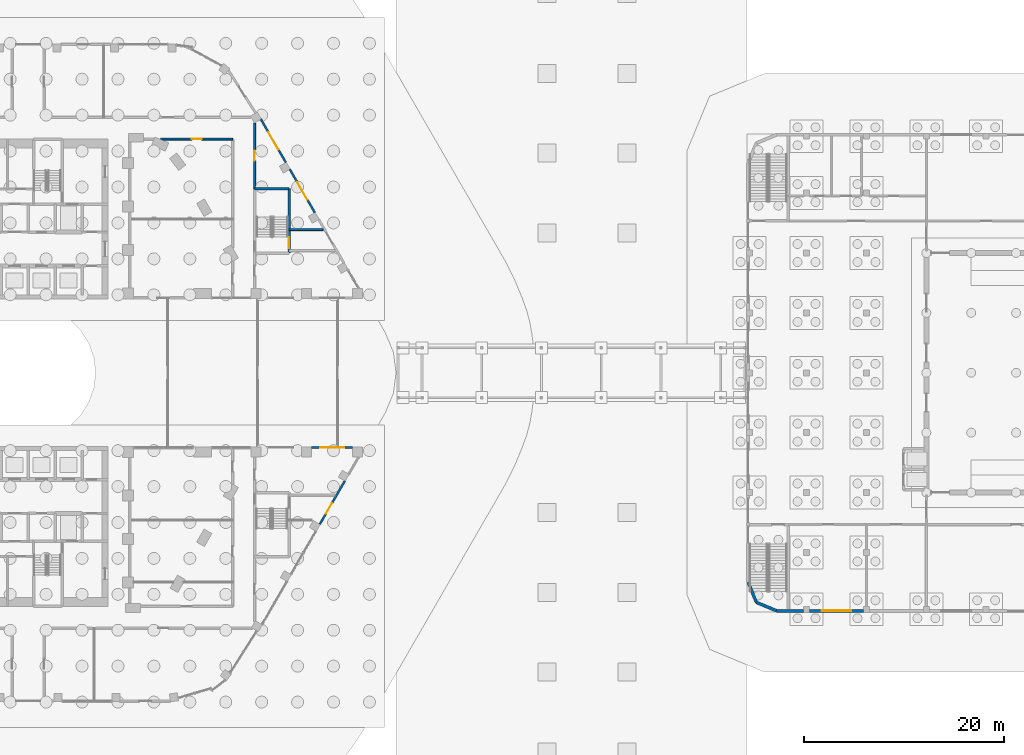
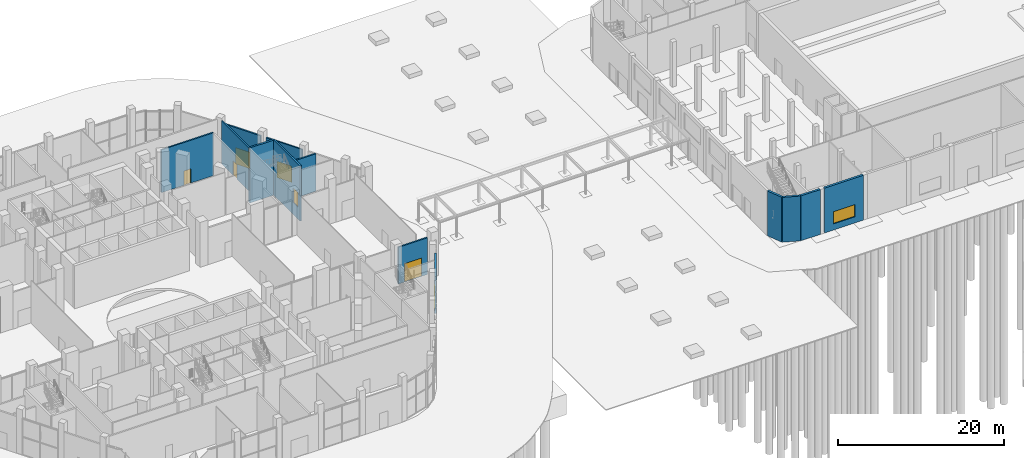
# One storey, part 30 of 44: 13 walls, 7 doors, 1 window, 8 openings.
"""IFC4 building model written with IfcOpenShell, lengths in metres."""

from ifc_helpers import new_model, si_unit, direction, frame, frame_2d, origin, place, context, subcontext, project, spatial, rectangle, extrude, material, layer, layer_set, type_object, element, fill, save


model = new_model("IFC4")

# Units and contexts
model_context = context("Model", 3, precision=1e-05, world=origin(), true_north=direction((0.0, 1.0)))
body_context = subcontext(model_context, "Body", "Model", "MODEL_VIEW")
ifc_project = project(units=[si_unit("LENGTHUNIT", "METRE"), si_unit("AREAUNIT", "SQUARE_METRE"), si_unit("VOLUMEUNIT", "CUBIC_METRE"), si_unit("PLANEANGLEUNIT", "RADIAN"), si_unit("MASSUNIT", "GRAM", prefix="KILO")], contexts=[model_context])

# Site, building, storey
site_placement = place(None, origin())
site = spatial("IfcSite", under=ifc_project, at=site_placement, CompositionType="ELEMENT")
building_placement = place(site_placement, origin())
building = spatial("IfcBuilding", under=site, at=building_placement, Name="Nakaniwa Court", CompositionType="ELEMENT")
storey_placement = place(building_placement, origin())
storey = spatial("IfcBuildingStorey", under=building, at=storey_placement, Name="L00", CompositionType="ELEMENT", Elevation=0.0)

# Wall, opening, door
ifc_material_1 = material(Name="Acoustic double stud partition")
ifc_layer_1 = layer(ifc_material_1, 0.199951171875)
ifc_layer_set_1 = layer_set([ifc_layer_1], Name="Acoustic double stud partition")
wall_type_1 = type_object("IfcWallType", Name="Acoustic double stud partition 200", PredefinedType="PARTITIONING", material=ifc_layer_set_1)
wall_1_placement = place(storey_placement, frame((102.699951171875, 105.024658203125, 0.0), z_axis=(0.0, 0.0, 1.0), x_axis=(0.0, -1.0, 0.0)))
wall_1 = element("IfcWall", 1, at=wall_1_placement, inside=storey, type_object=wall_type_1, Name="Partition PW-082", PredefinedType="PARTITIONING", context=body_context, shape_type="SweptSolid", body=[
    extrude(rectangle(XDim=6.57763671875, YDim=0.199951171875, at=frame_2d((3.288818359375, 0.0))), origin(), (0.0, 0.0, 1.0), 6.300048828125),
])
opening_1_placement = place(wall_1_placement, frame((2.7890625, 0.0, 0.0)))
opening_1 = element("IfcOpeningElement", 2, at=opening_1_placement, cuts=wall_1, Name="Opening D-02-04", PredefinedType="OPENING", context=body_context, shape_type="SweptSolid", body=[
    extrude(rectangle(XDim=1.0, YDim=2.10009765625, at=frame_2d((0.5, 1.050048828125))), frame((0.0, 0.10986328125, 0.0), z_axis=(0.0, -1.0, 0.0), x_axis=(1.0, 0.0, 0.0)), (0.0, 0.0, 1.0), 0.219970703125),
])
ifc_material_2 = material(Name="Solid core timber door set, black veneer", Category="wood")
door_type_1 = type_object("IfcDoorType", Name="Internal door 1000", OperationType="NOTDEFINED", PredefinedType="DOOR", material=ifc_material_2)
door_1_placement = place(opening_1_placement, origin())
door_1 = element("IfcDoor", 3, at=door_1_placement, inside=storey, type_object=door_type_1, Name="Door D-02-04 L00-035", OperationType="SINGLE_SWING_RIGHT", OverallHeight=2.10009765625, OverallWidth=1.0, PredefinedType="DOOR", context=body_context, shape_type="SweptSolid", body=[
    extrude(rectangle(XDim=1.0, YDim=2.10009765625, at=frame_2d((0.5, 1.050048828125))), frame((0.0, 0.02490234375, 0.0), z_axis=(0.0, -1.0, 0.0), x_axis=(1.0, 0.0, 0.0)), (0.0, 0.0, 1.0), 0.050048828125),
])
fill(opening_1, door_1)

wall_2_placement = place(storey_placement, frame((100.498046875, 103.39990234375, 0.0), z_axis=(0.0, 0.0, 1.0), x_axis=(-1.0, 0.0, 0.0)))
wall_2 = element("IfcWall", 4, at=wall_2_placement, inside=storey, type_object=wall_type_1, Name="Partition PW-114", PredefinedType="PARTITIONING", context=body_context, shape_type="SweptSolid", body=[
    extrude(rectangle(XDim=7.22802734375, YDim=0.199951171875, at=frame_2d((3.614013671875, 0.0))), origin(), (0.0, 0.0, 1.0), 6.300048828125),
])
opening_2_placement = place(wall_2_placement, frame((3.111083984375, 0.0, 0.0)))
opening_2 = element("IfcOpeningElement", 5, at=opening_2_placement, cuts=wall_2, Name="Opening D-02-10", PredefinedType="OPENING", context=body_context, shape_type="SweptSolid", body=[
    extrude(rectangle(XDim=1.0, YDim=2.10009765625, at=frame_2d((0.5, 1.050048828125))), frame((0.0, 0.10986328125, 0.0), z_axis=(0.0, -1.0, 0.0), x_axis=(1.0, 0.0, 0.0)), (0.0, 0.0, 1.0), 0.219970703125),
])
door_2_placement = place(opening_2_placement, origin())
door_2 = element("IfcDoor", 6, at=door_2_placement, inside=storey, type_object=door_type_1, Name="Door D-02-10 L00-041", OperationType="SINGLE_SWING_RIGHT", OverallHeight=2.10009765625, OverallWidth=1.0, PredefinedType="DOOR", context=body_context, shape_type="SweptSolid", body=[
    extrude(rectangle(XDim=1.0, YDim=2.10009765625, at=frame_2d((0.5, 1.050048828125))), frame((0.0, 0.02490234375, 0.0), z_axis=(0.0, -1.0, 0.0), x_axis=(1.0, 0.0, 0.0)), (0.0, 0.0, 1.0), 0.050048828125),
])
fill(opening_2, door_2)

# Wall
wall_3_placement = place(storey_placement, frame((106.14990234375, 94.35009765625, 0.0), z_axis=(0.0, 0.0, 1.0), x_axis=(1.0, 0.0, 0.0)))
element("IfcWall", 7, at=wall_3_placement, inside=storey, type_object=wall_type_1, Name="Partition PW-128", PredefinedType="PARTITIONING", context=body_context, shape_type="SweptSolid", body=[
    extrude(rectangle(XDim=3.4091796875, YDim=0.199951171875, at=frame_2d((1.70458984375, 0.0))), origin(), (0.0, 0.0, 1.0), 5.530029296875),
])

# Wall, opening, door
ifc_material_3 = material(Name="Charcoal ceramic cladding")
ifc_layer_2 = layer(ifc_material_3, 0.02, Name="Ceramic cladding")
ifc_material_4 = material(Name="Ventilated air cavity")
ifc_layer_3 = layer(ifc_material_4, 0.04, ventilated=True, Name="Ventilated cavity")
ifc_material_5 = material(Name="Mineral wool insulation")
ifc_layer_4 = layer(ifc_material_5, 0.05, Name="Insulation")
ifc_material_6 = material(Name="Cement bonded sheathing board")
ifc_layer_5 = layer(ifc_material_6, 0.012, Name="Sheathing")
ifc_material_7 = material(Name="Cold-formed galvanised stud frame with mineral wool infill")
ifc_layer_6 = layer(ifc_material_7, 0.05, Name="Stud frame")
ifc_material_8 = material(Name="Fire-rated gypsum plasterboard lining")
ifc_layer_7 = layer(ifc_material_8, 0.028, Name="Lining")
ifc_layer_set_2 = layer_set([ifc_layer_2, ifc_layer_3, ifc_layer_4, ifc_layer_5, ifc_layer_6, ifc_layer_7], Name="Charcoal ceramic faced external wall system")
wall_type_2 = type_object("IfcWallType", Name="Black ceramic faced external wall 200", PredefinedType="SOLIDWALL", material=ifc_layer_set_2)
wall_4_placement = place(storey_placement, frame((109.224365234375, 64.818115234375, 0.0), z_axis=(0.0, 0.0, 1.0), x_axis=(0.499990997566, 0.86603060128, 0.0)))
wall_4 = element("IfcWall", 8, at=wall_4_placement, inside=storey, type_object=wall_type_2, Name="L00 entrance wall 02", PredefinedType="SOLIDWALL", context=body_context, shape_type="SweptSolid", body=[
    extrude(rectangle(XDim=5.01025390625, YDim=0.199951171875, at=frame_2d((2.505126953125, 0.0))), origin(), (0.0, 0.0, 1.0), 5.39990234375),
])
opening_3_placement = place(wall_4_placement, frame((1.2265625, 0.0, 0.0)))
opening_3 = element("IfcOpeningElement", 9, at=opening_3_placement, cuts=wall_4, Name="Opening XD1.01", PredefinedType="OPENING", context=body_context, shape_type="SweptSolid", body=[
    extrude(rectangle(XDim=1.199951171875, YDim=2.39990234375, at=frame_2d((0.60009765625, 1.199951171875))), frame((0.0, 0.10986328125, 0.0), z_axis=(0.0, -1.0, 0.0), x_axis=(1.0, 0.0, 0.0)), (0.0, 0.0, 1.0), 0.219970703125),
])
ifc_material_9 = material(Name="Black powder-coated aluminium frame with dark laminated glass", Category="aluminium")
door_type_2 = type_object("IfcDoorType", Name="Stair exit door 1200x2400", OperationType="SINGLE_SWING_LEFT", PredefinedType="DOOR", material=ifc_material_9)
door_3_placement = place(opening_3_placement, frame((1.199951171875, 0.0, 0.0), z_axis=(0.0, 0.0, 1.0), x_axis=(-1.0, 0.0, 0.0)))
door_3 = element("IfcDoor", 10, at=door_3_placement, inside=storey, type_object=door_type_2, Name="L00 stair exit door 02-0", OperationType="SINGLE_SWING_LEFT", OverallHeight=2.39990234375, OverallWidth=1.199951171875, PredefinedType="DOOR", context=body_context, shape_type="SweptSolid", body=[
    extrude(rectangle(XDim=1.199951171875, YDim=2.39990234375, at=frame_2d((0.60009765625, 1.199951171875))), frame((0.0, 0.02490234375, 0.0), z_axis=(0.0, -1.0, 0.0), x_axis=(1.0, 0.0, 0.0)), (0.0, 0.0, 1.0), 0.050048828125),
])
fill(opening_3, door_3)

wall_5_placement = place(storey_placement, frame((112.5, 72.5, 0.0), z_axis=(0.0, 0.0, 1.0), x_axis=(-1.0, 0.0, 0.0)))
wall_5 = element("IfcWall", 11, at=wall_5_placement, inside=storey, type_object=wall_type_2, Name="L00 entrance wall 04", PredefinedType="SOLIDWALL", context=body_context, shape_type="SweptSolid", body=[
    extrude(rectangle(XDim=4.094970703125, YDim=0.199951171875, at=frame_2d((2.04736328125, 0.0))), origin(), (0.0, 0.0, 1.0), 5.39990234375),
])
opening_4_placement = place(wall_5_placement, frame((0.847412109375, 0.0, 0.0)))
opening_4 = element("IfcOpeningElement", 12, at=opening_4_placement, cuts=wall_5, Name="Opening XD2.02", PredefinedType="OPENING", context=body_context, shape_type="SweptSolid", body=[
    extrude(rectangle(XDim=2.39990234375, YDim=2.699951171875, at=frame_2d((1.199951171875, 1.35009765625))), frame((0.0, 0.10986328125, 0.0), z_axis=(0.0, -1.0, 0.0), x_axis=(1.0, 0.0, 0.0)), (0.0, 0.0, 1.0), 0.219970703125),
])
door_type_3 = type_object("IfcDoorType", Name="Residents entrance double door 2400x2700", OperationType="DOUBLE_DOOR_DOUBLE_SWING", PredefinedType="DOOR", material=ifc_material_9)
door_4_placement = place(opening_4_placement, origin())
door_4 = element("IfcDoor", 13, at=door_4_placement, inside=storey, type_object=door_type_3, Name="L00 residents entrance double door 04-0", OperationType="DOUBLE_DOOR_DOUBLE_SWING", OverallHeight=2.699951171875, OverallWidth=2.39990234375, PredefinedType="DOOR", context=body_context, shape_type="SweptSolid", body=[
    extrude(rectangle(XDim=2.39990234375, YDim=2.699951171875, at=frame_2d((1.199951171875, 1.35009765625))), frame((0.0, 0.02490234375, 0.0), z_axis=(0.0, -1.0, 0.0), x_axis=(1.0, 0.0, 0.0)), (0.0, 0.0, 1.0), 0.050048828125),
])
fill(opening_4, door_4)

wall_6_placement = place(storey_placement, frame((108.72705078125, 96.043212890625, 0.0), z_axis=(0.0, 0.0, 1.0), x_axis=(-0.499990997566, 0.86603060128, 0.0)))
wall_6 = element("IfcWall", 14, at=wall_6_placement, inside=storey, type_object=wall_type_2, Name="L00 entrance wall 41", PredefinedType="SOLIDWALL", context=body_context, shape_type="SweptSolid", body=[
    extrude(rectangle(XDim=5.01025390625, YDim=0.199951171875, at=frame_2d((2.505126953125, 0.0))), origin(), (0.0, 0.0, 1.0), 5.39990234375),
])
opening_5_placement = place(wall_6_placement, frame((1.505126953125, 0.0, 0.0)))
opening_5 = element("IfcOpeningElement", 15, at=opening_5_placement, cuts=wall_6, Name="Opening XD7.21", PredefinedType="OPENING", context=body_context, shape_type="SweptSolid", body=[
    extrude(rectangle(XDim=2.0, YDim=2.39990234375, at=frame_2d((1.0, 1.199951171875))), frame((0.0, 0.10986328125, 0.0), z_axis=(0.0, -1.0, 0.0), x_axis=(1.0, 0.0, 0.0)), (0.0, 0.0, 1.0), 0.219970703125),
])
door_type_4 = type_object("IfcDoorType", Name="Shopfront double door 2000x2400", OperationType="DOUBLE_DOOR_DOUBLE_SWING", PredefinedType="DOOR", material=ifc_material_9)
door_5_placement = place(opening_5_placement, frame((2.0, 0.0, 0.0), z_axis=(0.0, 0.0, 1.0), x_axis=(-1.0, 0.0, 0.0)))
door_5 = element("IfcDoor", 16, at=door_5_placement, inside=storey, type_object=door_type_4, Name="L00 shopfront double door 41-0", OperationType="DOUBLE_DOOR_DOUBLE_SWING", OverallHeight=2.39990234375, OverallWidth=2.0, PredefinedType="DOOR", context=body_context, shape_type="SweptSolid", body=[
    extrude(rectangle(XDim=2.0, YDim=2.39990234375, at=frame_2d((1.0, 1.199951171875))), frame((0.0, 0.02490234375, 0.0), z_axis=(0.0, -1.0, 0.0), x_axis=(1.0, 0.0, 0.0)), (0.0, 0.0, 1.0), 0.050048828125),
])
fill(opening_5, door_5)

wall_7_placement = place(storey_placement, frame((105.825927734375, 101.068115234375, 0.0), z_axis=(0.0, 0.0, 1.0), x_axis=(-0.499990997566, 0.86603060128, 0.0)))
wall_7 = element("IfcWall", 17, at=wall_7_placement, inside=storey, type_object=wall_type_2, Name="L00 entrance wall 42", PredefinedType="SOLIDWALL", context=body_context, shape_type="SweptSolid", body=[
    extrude(rectangle(XDim=5.01025390625, YDim=0.199951171875, at=frame_2d((2.505126953125, 0.0))), origin(), (0.0, 0.0, 1.0), 5.39990234375),
])
opening_6_placement = place(wall_7_placement, frame((1.505126953125, 0.0, 0.0)))
opening_6 = element("IfcOpeningElement", 18, at=opening_6_placement, cuts=wall_7, Name="Opening XD7.22", PredefinedType="OPENING", context=body_context, shape_type="SweptSolid", body=[
    extrude(rectangle(XDim=2.0, YDim=2.39990234375, at=frame_2d((1.0, 1.199951171875))), frame((0.0, 0.10986328125, 0.0), z_axis=(0.0, -1.0, 0.0), x_axis=(1.0, 0.0, 0.0)), (0.0, 0.0, 1.0), 0.219970703125),
])
door_6_placement = place(opening_6_placement, frame((2.0, 0.0, 0.0), z_axis=(0.0, 0.0, 1.0), x_axis=(-1.0, 0.0, 0.0)))
door_6 = element("IfcDoor", 19, at=door_6_placement, inside=storey, type_object=door_type_4, Name="L00 shopfront double door 42-0", OperationType="DOUBLE_DOOR_DOUBLE_SWING", OverallHeight=2.39990234375, OverallWidth=2.0, PredefinedType="DOOR", context=body_context, shape_type="SweptSolid", body=[
    extrude(rectangle(XDim=2.0, YDim=2.39990234375, at=frame_2d((1.0, 1.199951171875))), frame((0.0, 0.02490234375, 0.0), z_axis=(0.0, -1.0, 0.0), x_axis=(1.0, 0.0, 0.0)), (0.0, 0.0, 1.0), 0.050048828125),
])
fill(opening_6, door_6)

ifc_material_10 = material(Name="Concrete C100/115", Category="concrete")
ifc_layer_8 = layer(ifc_material_10, 0.25)
ifc_layer_set_3 = layer_set([ifc_layer_8], Name="Concrete C100/115")
wall_type_3 = type_object("IfcWallType", Name="Concrete core wall 250 C100", PredefinedType="SHEAR", material=ifc_layer_set_3)
wall_8_placement = place(storey_placement, frame((106.14990234375, 98.449951171875, -1.800048828125), z_axis=(0.0, 0.0, 1.0), x_axis=(0.0, -1.0, 0.0)))
wall_8 = element("IfcWall", 20, at=wall_8_placement, inside=storey, type_object=wall_type_3, Name="Core wall SW-125", PredefinedType="SHEAR", context=body_context, shape_type="SweptSolid", body=[
    extrude(rectangle(XDim=6.449951171875, YDim=0.25, at=frame_2d((3.22509765625, 0.0))), origin(), (0.0, 0.0, 1.0), 8.10009765625),
])
opening_7_placement = place(wall_8_placement, frame((4.85009765625, 0.0, 1.800048828125)))
opening_7 = element("IfcOpeningElement", 21, at=opening_7_placement, cuts=wall_8, Name="Opening D-09-04", PredefinedType="OPENING", context=body_context, shape_type="SweptSolid", body=[
    extrude(rectangle(XDim=1.10009765625, YDim=2.10009765625, at=frame_2d((0.550048828125, 1.050048828125))), frame((0.0, 0.135009765625, 0.0), z_axis=(0.0, -1.0, 0.0), x_axis=(1.0, 0.0, 0.0)), (0.0, 0.0, 1.0), 0.27001953125),
])
ifc_material_11 = material(Name="Fire rated steel door set", Category="steel")
door_type_5 = type_object("IfcDoorType", Name="Stair door 1100", OperationType="NOTDEFINED", PredefinedType="DOOR", material=ifc_material_11)
door_7_placement = place(opening_7_placement, origin())
door_7 = element("IfcDoor", 22, at=door_7_placement, inside=storey, type_object=door_type_5, Name="Door D-09-04 L00-028", OperationType="SINGLE_SWING_RIGHT", OverallHeight=2.10009765625, OverallWidth=1.10009765625, PredefinedType="DOOR", context=body_context, shape_type="SweptSolid", body=[
    extrude(rectangle(XDim=1.10009765625, YDim=2.10009765625, at=frame_2d((0.550048828125, 1.050048828125))), frame((0.0, 0.02490234375, 0.0), z_axis=(0.0, -1.0, 0.0), x_axis=(1.0, 0.0, 0.0)), (0.0, 0.0, 1.0), 0.050048828125),
])
fill(opening_7, door_7)

# Walls
wall_9_placement = place(storey_placement, frame((102.699951171875, 98.449951171875, -1.800048828125), z_axis=(0.0, 0.0, 1.0), x_axis=(1.0, 0.0, 0.0)))
element("IfcWall", 23, at=wall_9_placement, inside=storey, type_object=wall_type_3, Name="Core wall SW-135", PredefinedType="SHEAR", context=body_context, shape_type="SweptSolid", body=[
    extrude(rectangle(XDim=3.449951171875, YDim=0.25, at=frame_2d((1.72509765625, 0.0))), origin(), (0.0, 0.0, 1.0), 8.10009765625),
])
ifc_material_12 = material(Name="Concrete C50/60", Category="concrete")
ifc_layer_9 = layer(ifc_material_12, 0.300048828125)
ifc_layer_set_4 = layer_set([ifc_layer_9], Name="Concrete C50/60")
wall_type_4 = type_object("IfcWallType", Name="Fair faced concrete wall 300", PredefinedType="SOLIDWALL", material=ifc_layer_set_4)
for number, where, z_axis, x_axis, name in (
    (24, (155.0, 56.14990234375, 0.0), (0.0, 0.0, 1.0), (-0.923892706888, 0.382651625058, 0.0), "Facade wall L00 1"),
    (25, (152.984619140625, 56.984619140625, 0.0), (0.0, 0.0, 1.0), (-0.382651625058, 0.923892706888, 0.0), "Facade wall L00 2"),
):
    element("IfcWall", number, at=place(storey_placement, frame(where, z_axis=z_axis, x_axis=x_axis)), inside=storey, type_object=wall_type_4, Name=name, PredefinedType="SOLIDWALL", context=body_context, shape_type="SweptSolid", body=[
        extrude(rectangle(XDim=2.181396484375, YDim=0.300048828125, at=frame_2d((1.0908203125, 0.0))), origin(), (0.0, 0.0, 1.0), 6.60009765625),
    ])

# Wall, opening, window
wall_10_placement = place(storey_placement, frame((163.699951171875, 56.14990234375, 0.0), z_axis=(0.0, 0.0, 1.0), x_axis=(-1.0, 0.0, 0.0)))
wall_10 = element("IfcWall", 26, at=wall_10_placement, inside=storey, type_object=wall_type_4, Name="Facade wall L00 41", PredefinedType="SOLIDWALL", context=body_context, shape_type="SweptSolid", body=[
    extrude(rectangle(XDim=5.39990234375, YDim=0.300048828125, at=frame_2d((2.699951171875, 0.0))), origin(), (0.0, 0.0, 1.0), 6.60009765625),
])
opening_8_placement = place(wall_10_placement, frame((1.199951171875, 0.0, 0.89990234375)))
opening_8 = element("IfcOpeningElement", 27, at=opening_8_placement, cuts=wall_10, Name="Opening HWN-17", PredefinedType="OPENING", context=body_context, shape_type="SweptSolid", body=[
    extrude(rectangle(XDim=3.0, YDim=1.800048828125, at=frame_2d((1.5, 0.89990234375))), frame((0.0, 0.159912109375, 0.0), z_axis=(0.0, -1.0, 0.0), x_axis=(1.0, 0.0, 0.0)), (0.0, 0.0, 1.0), 0.320068359375),
])
ifc_material_13 = material(Name="Black powder-coated aluminium frame with dark glass", Category="aluminium")
window_type = type_object("IfcWindowType", Name="Hall window 3000x1800", PartitioningType="SINGLE_PANEL", PredefinedType="WINDOW", material=ifc_material_13)
window_placement = place(opening_8_placement, origin())
window = element("IfcWindow", 28, at=window_placement, inside=storey, type_object=window_type, Name="Window L00:040", OverallHeight=1.800048828125, OverallWidth=3.0, PartitioningType="SINGLE_PANEL", PredefinedType="WINDOW", context=body_context, shape_type="SweptSolid", body=[
    extrude(rectangle(XDim=3.0, YDim=1.800048828125, at=frame_2d((1.5, 0.89990234375))), frame((0.0, 0.030029296875, 0.0), z_axis=(0.0, -1.0, 0.0), x_axis=(1.0, 0.0, 0.0)), (0.0, 0.0, 1.0), 0.06005859375),
])
fill(opening_8, window)

# Wall
wall_11_placement = place(storey_placement, frame((157.699951171875, 56.14990234375, 0.0), z_axis=(0.0, 0.0, 1.0), x_axis=(-1.0, 0.0, 0.0)))
element("IfcWall", 29, at=wall_11_placement, inside=storey, type_object=wall_type_4, Name="Facade wall L00 42", PredefinedType="SOLIDWALL", context=body_context, shape_type="SweptSolid", body=[
    extrude(rectangle(XDim=2.699951171875, YDim=0.300048828125, at=frame_2d((1.35009765625, 0.0))), origin(), (0.0, 0.0, 1.0), 6.60009765625),
])

save(model, "model.ifc")
